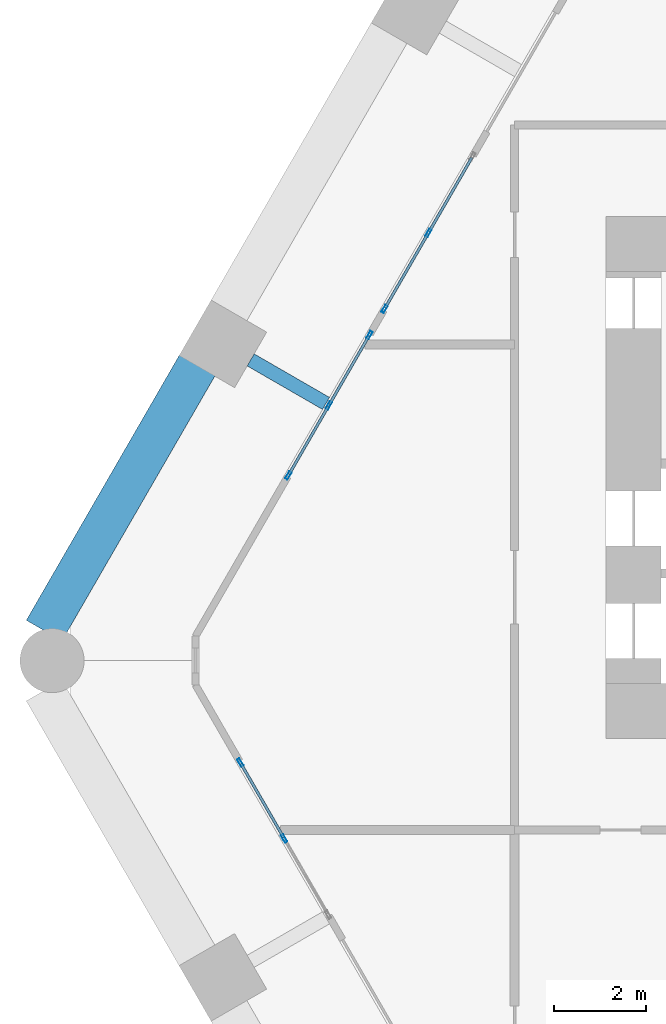
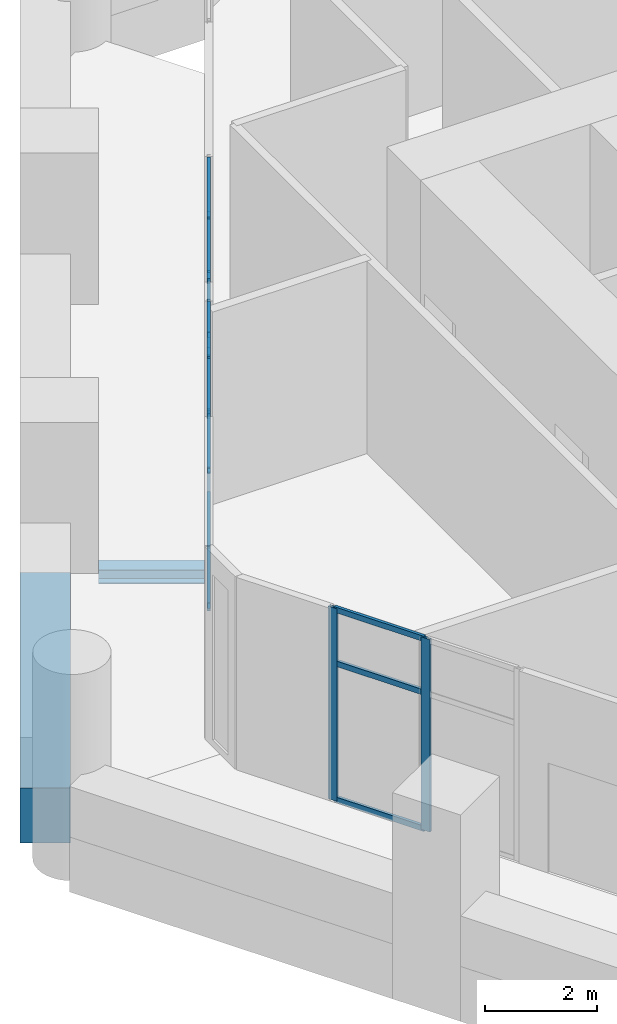
# One storey, part 5 of 18: 22 members, 2 beams, 3 elements without a shape of their own.
"""IFC4 building model written with IfcOpenShell, lengths in metres."""

import ifcopenshell
import ifcopenshell.guid

model = None  # the IFC model being written
_history = None  # IfcOwnerHistory: only IFC2X3 demands one
_inside = {}  # id of a spatial element -> (the spatial element, [elements in it])
_under = {}  # id of a project, library or spatial element -> (it, [spatial elements below it])
_declared = {}  # id of a project -> (the project, [libraries it declares])
_typed = {}  # id of a type object -> (the type object, [elements of that type])
_made_of = {}  # id of a material, layer set ... -> (it, [elements and type objects made of it])


def new_model(schema):
    """Start an empty IFC model of exactly this schema.

    Asked for "IFC4X3", IfcOpenShell would pick the latest addendum, in which some entities
    have other attributes; the version numbers below select the first issue.
    IFC2X3 requires an IfcOwnerHistory on every rooted entity: one is made here for all.
    """
    global model, _history
    if schema == "IFC4X3":
        model = ifcopenshell.file(schema_version=(4, 3, 0, 0))
    else:
        model = ifcopenshell.file(schema=schema)
    _inside.clear()
    _under.clear()
    _declared.clear()
    _typed.clear()
    _made_of.clear()
    _history = None
    if model.schema == "IFC2X3":
        org = make("IfcOrganization", Name="unknown")
        user = make(
            "IfcPersonAndOrganization",
            ThePerson=make("IfcPerson", FamilyName="unknown"),
            TheOrganization=org,
        )
        app = make(
            "IfcApplication",
            ApplicationDeveloper=org,
            Version="unknown",
            ApplicationFullName="unknown",
            ApplicationIdentifier="unknown",
        )
        _history = make(
            "IfcOwnerHistory",
            OwningUser=user,
            OwningApplication=app,
            ChangeAction="ADDED",
            CreationDate=0,
        )
    return model


def make(cls, **values):
    """One entity of the class cls with the attributes given. An attribute that is None is left unset."""
    return model.create_entity(
        cls, **{name: value for name, value in values.items() if value is not None}
    )


def rooted(cls, **values):
    """An entity with a GlobalId (a new one), such as an element, a storey or a relation."""
    return make(cls, GlobalId=ifcopenshell.guid.new(), OwnerHistory=_history, **values)


def si_unit(unit_type, name, prefix=None):
    """IfcSIUnit, for example si_unit("LENGTHUNIT", "METRE", prefix="MILLI")."""
    return make("IfcSIUnit", UnitType=unit_type, Prefix=prefix, Name=name)


def assignment(units):
    """IfcUnitAssignment: the units of a project."""
    return None if units is None else make("IfcUnitAssignment", Units=units)


def point(xyz):
    """IfcCartesianPoint."""
    return None if xyz is None else make("IfcCartesianPoint", Coordinates=xyz)


def direction(xyz):
    """IfcDirection."""
    return None if xyz is None else make("IfcDirection", DirectionRatios=xyz)


def frame(location, z_axis=None, x_axis=None):
    """IfcAxis2Placement3D, a coordinate frame: its origin and axes. An axis left out is left unset."""
    return make(
        "IfcAxis2Placement3D",
        Location=point(location),
        Axis=direction(z_axis),
        RefDirection=direction(x_axis),
    )


def frame_2d(location, x_axis=None):
    """IfcAxis2Placement2D, a coordinate frame in the plane: its origin and x axis."""
    return make(
        "IfcAxis2Placement2D", Location=point(location), RefDirection=direction(x_axis)
    )


def origin():
    """The frame at (0, 0, 0) with its axes left unset."""
    return frame((0.0, 0.0, 0.0))


def origin_2d():
    """The frame at (0, 0) in the plane with its x axis left unset."""
    return frame_2d((0.0, 0.0))


def place(relative_to, where):
    """IfcLocalPlacement: puts the frame where relative to a parent placement (None: the world)."""
    return make(
        "IfcLocalPlacement", PlacementRelTo=relative_to, RelativePlacement=where
    )


def context(
    kind, dimensions, precision=None, world=None, true_north=None, identifier=None
):
    """IfcGeometricRepresentationContext, for example the 3D "Model" context."""
    return make(
        "IfcGeometricRepresentationContext",
        ContextIdentifier=identifier,
        ContextType=kind,
        CoordinateSpaceDimension=dimensions,
        Precision=precision,
        WorldCoordinateSystem=world,
        TrueNorth=true_north,
    )


def subcontext(parent, identifier, kind, view, scale=None):
    """IfcGeometricRepresentationSubContext, for example "Body" below "Model"."""
    return make(
        "IfcGeometricRepresentationSubContext",
        ContextIdentifier=identifier,
        ContextType=kind,
        ParentContext=parent,
        TargetScale=scale,
        TargetView=view,
    )


def project(units=None, contexts=None):
    """IfcProject with its units and contexts."""
    return rooted(
        "IfcProject",
        Name="project",
        RepresentationContexts=contexts,
        UnitsInContext=assignment(units),
    )


def spatial(cls, under=None, at=None, **own):
    """A site, building, storey or space (cls), placed at a placement, below another one or the project."""
    s = rooted(cls, ObjectPlacement=at, **own)
    if under is not None:
        _under.setdefault(under.id(), (under, []))[1].append(s)
    return s


def profile(cls, at=None, kind="AREA", **sizes):
    """A parametric profile (cls). Its sizes go by their IFC names, for example OverallWidth=200.0."""
    return make(cls, ProfileType=kind, Position=at, **sizes)


def rectangle(**sizes):
    """IfcRectangleProfileDef."""
    return profile("IfcRectangleProfileDef", **sizes)


def hollow_rectangle(**sizes):
    """IfcRectangleHollowProfileDef."""
    return profile("IfcRectangleHollowProfileDef", **sizes)


def i_section(**sizes):
    """IfcIShapeProfileDef."""
    return profile("IfcIShapeProfileDef", **sizes)


def extrude(swept, where, along, depth):
    """IfcExtrudedAreaSolid: the profile swept, set in the frame where, extruded along a direction by depth."""
    return make(
        "IfcExtrudedAreaSolid",
        SweptArea=swept,
        Position=where,
        ExtrudedDirection=direction(along),
        Depth=depth,
    )


def shape(context_of_items, identifier, shape_type, items):
    """IfcShapeRepresentation: the items that make up one representation, for example the "Body"."""
    return make(
        "IfcShapeRepresentation",
        ContextOfItems=context_of_items,
        RepresentationIdentifier=identifier,
        RepresentationType=shape_type,
        Items=items,
    )


def material(Name=None, Category=None):
    """IfcMaterial."""
    return make("IfcMaterial", Name=Name, Category=Category)


def material_profile(
    of_material, cross_section, Name=None, Category=None, Priority=None
):
    """IfcMaterialProfile: a cross section and its material."""
    return make(
        "IfcMaterialProfile",
        Name=Name,
        Material=of_material,
        Profile=cross_section,
        Priority=Priority,
        Category=Category,
    )


def profile_set(profiles, Name=None, composite=None):
    """IfcMaterialProfileSet."""
    return make(
        "IfcMaterialProfileSet",
        Name=Name,
        MaterialProfiles=profiles,
        CompositeProfile=composite,
    )


def made_of(thing, what):
    """Note that an element or type object is made of a material, layer set ...; save() writes the relation."""
    if what is not None:
        _made_of.setdefault(what.id(), (what, []))[1].append(thing)
    return thing


def type_object(cls, material=None, **own):
    """A type object (cls), such as IfcWallType, which elements share."""
    return made_of(rooted(cls, **own), material)


def element(
    cls,
    number,
    at=None,
    inside=None,
    cuts=None,
    type_object=None,
    material=None,
    context=None,
    identifier="Body",
    shape_type=None,
    held_by="IfcProductDefinitionShape",
    body=None,
    shapes=None,
    **own,
):
    """One element of the class cls, such as IfcWall. Its Tag is "e" and its number.

    at: its placement. inside: the storey or other place that contains it. cuts: it is an
    opening in that element (IfcRelVoidsElement). A single representation is given by context,
    identifier, shape_type and body (its items); several are given by shapes. held_by: the class
    of the entity that holds the representations. save() writes the other relations.
    """
    e = rooted(cls, Tag="e%d" % number, ObjectPlacement=at, **own)
    if body is not None:
        shapes = [shape(context, identifier, shape_type, body)]
    if shapes is not None:
        e.Representation = make(held_by, Representations=shapes)
    if inside is not None:
        _inside.setdefault(inside.id(), (inside, []))[1].append(e)
    if cuts is not None:
        rooted(
            "IfcRelVoidsElement", RelatingBuildingElement=cuts, RelatedOpeningElement=e
        )
    if type_object is not None:
        _typed.setdefault(type_object.id(), (type_object, []))[1].append(e)
    return made_of(e, material)


def aggregate(whole, parts):
    """IfcRelAggregates: a whole, such as a stair, and the parts it consists of."""
    return rooted("IfcRelAggregates", RelatingObject=whole, RelatedObjects=parts)


def save(model, path):
    """Write the relations noted so far, then the file.

    IfcRelAggregates (storeys below a building ...), IfcRelContainedInSpatialStructure (elements
    in a storey), IfcRelDefinesByType, IfcRelAssociatesMaterial and IfcRelDeclares: one each for
    every whole, place, type object, material and project.
    """
    for whole, parts in _under.values():
        aggregate(whole, parts)
    for where, things in _inside.values():
        rooted(
            "IfcRelContainedInSpatialStructure",
            RelatedElements=things,
            RelatingStructure=where,
        )
    for kind, things in _typed.values():
        rooted("IfcRelDefinesByType", RelatedObjects=things, RelatingType=kind)
    for what, things in _made_of.values():
        rooted("IfcRelAssociatesMaterial", RelatedObjects=things, RelatingMaterial=what)
    for by, libraries in _declared.values():
        rooted("IfcRelDeclares", RelatingContext=by, RelatedDefinitions=libraries)
    model.write(path)


model = new_model("IFC4")

# Units and contexts
model_context = context("Model", 3, precision=1e-05, world=origin(), true_north=direction((0.0, 1.0)))
body_context = subcontext(model_context, "Body", "Model", "MODEL_VIEW")
ifc_project = project(units=[si_unit("LENGTHUNIT", "METRE"), si_unit("AREAUNIT", "SQUARE_METRE"), si_unit("VOLUMEUNIT", "CUBIC_METRE"), si_unit("PLANEANGLEUNIT", "RADIAN"), si_unit("MASSUNIT", "GRAM", prefix="KILO")], contexts=[model_context])

# Site, building, storey
site_placement = place(None, origin())
site = spatial("IfcSite", under=ifc_project, at=site_placement, CompositionType="ELEMENT")
building_placement = place(site_placement, origin())
building = spatial("IfcBuilding", under=site, at=building_placement, Name="Ostrander Bayou Hotel Tower", CompositionType="ELEMENT")
storey_placement = place(building_placement, frame((0.0, 0.0, 19.0)))
storey = spatial("IfcBuildingStorey", under=building, at=storey_placement, Name="L04", CompositionType="ELEMENT", Elevation=19.0)

# Curtain wall, members
ifc_material_1 = material(Name="Aluminium and clear glass", Category="aluminium")
curtain_wall_type = type_object("IfcCurtainWallType", Name="CW-SKY amenity glass wall", PredefinedType="NOTDEFINED", material=ifc_material_1)
curtain_wall_1_placement = place(storey_placement, origin())
curtain_wall_1 = element("IfcCurtainWall", 1, at=curtain_wall_1_placement, inside=storey, type_object=curtain_wall_type, Name="CW-SKY L04 NW 3", PredefinedType="NOTDEFINED")
ifc_material_2 = material(Name="Aluminium", Category="aluminium")
ifc_material_profile_1 = material_profile(ifc_material_2, hollow_rectangle(XDim=0.06005859375, YDim=0.179931640625, WallThickness=0.00390625, at=origin_2d()))
ifc_profile_set_1 = profile_set([ifc_material_profile_1], Name="Aluminium")
member_type_1 = type_object("IfcMemberType", Name="CW-SK mullion 60 x 180 mm", PredefinedType="MULLION", material=ifc_profile_set_1)
member_1_placement = place(storey_placement, frame((-15.881591796875, 9.342529296875, 0.0), z_axis=(0.0, 0.0, 1.0), x_axis=(0.866025463091, -0.499999897278, 0.0)))
member_1 = element("IfcMember", 2, at=member_1_placement, type_object=member_type_1, Name="CW-SKY mullion 2", PredefinedType="MULLION", context=body_context, shape_type="SweptSolid", body=[
    extrude(hollow_rectangle(XDim=0.06005859375, YDim=0.179931640625, WallThickness=0.00390625, at=origin_2d()), origin(), (0.0, 0.0, 1.0), 4.199951171875),
])
member_2_placement = place(storey_placement, frame((-16.841552734375, 7.6796875, 0.0), z_axis=(0.0, 0.0, 1.0), x_axis=(0.866025463091, -0.499999897278, 0.0)))
member_2 = element("IfcMember", 3, at=member_2_placement, type_object=member_type_1, Name="CW-SKY mullion 3", PredefinedType="MULLION", context=body_context, shape_type="SweptSolid", body=[
    extrude(hollow_rectangle(XDim=0.06005859375, YDim=0.179931640625, WallThickness=0.00390625, at=origin_2d()), origin(), (0.0, 0.0, 1.0), 4.199951171875),
])

curtain_wall_2_placement = place(storey_placement, origin())
curtain_wall_2 = element("IfcCurtainWall", 4, at=curtain_wall_2_placement, inside=storey, type_object=curtain_wall_type, Name="CW-SKY L04 NW 4", PredefinedType="NOTDEFINED")
member_3_placement = place(storey_placement, frame((-17.17138671875, 7.10791015625, 0.0), z_axis=(0.0, 0.0, 1.0), x_axis=(0.866025997283, -0.499998972029, 0.0)))
member_3 = element("IfcMember", 5, at=member_3_placement, type_object=member_type_1, Name="CW-SKY mullion 1", PredefinedType="MULLION", context=body_context, shape_type="SweptSolid", body=[
    extrude(hollow_rectangle(XDim=0.06005859375, YDim=0.179931640625, WallThickness=0.00390625, at=origin_2d()), origin(), (0.0, 0.0, 1.0), 4.199951171875),
])
member_4_placement = place(storey_placement, frame((-18.056396484375, 5.5751953125, 0.0), z_axis=(0.0, 0.0, 1.0), x_axis=(0.866025997283, -0.499998972029, 0.0)))
member_4 = element("IfcMember", 6, at=member_4_placement, type_object=member_type_1, Name="CW-SKY mullion 2", PredefinedType="MULLION", context=body_context, shape_type="SweptSolid", body=[
    extrude(hollow_rectangle(XDim=0.06005859375, YDim=0.179931640625, WallThickness=0.00390625, at=origin_2d()), origin(), (0.0, 0.0, 1.0), 4.199951171875),
])
member_5_placement = place(storey_placement, frame((-18.94140625, 4.042236328125, 0.0), z_axis=(0.0, 0.0, 1.0), x_axis=(0.866025997283, -0.499998972029, 0.0)))
member_5 = element("IfcMember", 7, at=member_5_placement, type_object=member_type_1, Name="CW-SKY mullion 3", PredefinedType="MULLION", context=body_context, shape_type="SweptSolid", body=[
    extrude(hollow_rectangle(XDim=0.06005859375, YDim=0.179931640625, WallThickness=0.00390625, at=origin_2d()), origin(), (0.0, 0.0, 1.0), 4.199951171875),
])

curtain_wall_3_placement = place(storey_placement, origin())
curtain_wall_3 = element("IfcCurtainWall", 8, at=curtain_wall_3_placement, inside=storey, type_object=curtain_wall_type, Name="CW-SKY L04 SW 1", PredefinedType="NOTDEFINED")
member_6_placement = place(storey_placement, frame((-19.991455078125, -2.2236328125, 0.0), z_axis=(0.0, 0.0, 1.0), x_axis=(0.866025463091, 0.499999897278, 0.0)))
member_6 = element("IfcMember", 9, at=member_6_placement, type_object=member_type_1, Name="CW-SKY mullion 1", PredefinedType="MULLION", context=body_context, shape_type="SweptSolid", body=[
    extrude(hollow_rectangle(XDim=0.06005859375, YDim=0.179931640625, WallThickness=0.00390625, at=origin_2d()), origin(), (0.0, 0.0, 1.0), 4.199951171875),
])
member_7_placement = place(storey_placement, frame((-19.031494140625, -3.886474609375, 0.0), z_axis=(0.0, 0.0, 1.0), x_axis=(0.866025463091, 0.499999897278, 0.0)))
member_7 = element("IfcMember", 10, at=member_7_placement, type_object=member_type_1, Name="CW-SKY mullion 2", PredefinedType="MULLION", context=body_context, shape_type="SweptSolid", body=[
    extrude(hollow_rectangle(XDim=0.06005859375, YDim=0.179931640625, WallThickness=0.00390625, at=origin_2d()), origin(), (0.0, 0.0, 1.0), 4.199951171875),
])

# Member
ifc_material_3 = material(Name="Aluminium", Category="aluminium")
ifc_material_profile_2 = material_profile(ifc_material_3, hollow_rectangle(XDim=0.06005859375, YDim=0.1201171875, WallThickness=0.00390625, at=origin_2d()))
ifc_profile_set_2 = profile_set([ifc_material_profile_2], Name="Aluminium")
member_type_2 = type_object("IfcMemberType", Name="CW-SK transom 60 x 120 mm", PredefinedType="USERDEFINED", material=ifc_profile_set_2)
member_8_placement = place(storey_placement, frame((-14.9365234375, 10.979248046875, 0.030029296875), z_axis=(-0.499964847546, -0.866045698112, 0.0), x_axis=(0.866045698112, -0.499964847546, 0.0)))
member_8 = element("IfcMember", 11, at=member_8_placement, type_object=member_type_2, Name="CW-SKY transom 1.1", ObjectType="TRANSOM", PredefinedType="USERDEFINED", context=body_context, shape_type="SweptSolid", body=[
    extrude(hollow_rectangle(XDim=0.06005859375, YDim=0.1201171875, WallThickness=0.00390625, at=origin_2d()), origin(), (0.0, 0.0, 1.0), 1.860107421875),
])

member_9_placement = place(storey_placement, frame((-14.9365234375, 10.979248046875, 3.0), z_axis=(-0.499964847546, -0.866045698112, 0.0), x_axis=(0.866045698112, -0.499964847546, 0.0)))
member_9 = element("IfcMember", 12, at=member_9_placement, type_object=member_type_2, Name="CW-SKY transom 1.2", ObjectType="TRANSOM", PredefinedType="USERDEFINED", context=body_context, shape_type="SweptSolid", body=[
    extrude(hollow_rectangle(XDim=0.06005859375, YDim=0.1201171875, WallThickness=0.00390625, at=origin_2d()), origin(), (0.0, 0.0, 1.0), 1.860107421875),
])

member_10_placement = place(storey_placement, frame((-14.9365234375, 10.979248046875, 4.169921875), z_axis=(-0.499964847546, -0.866045698112, 0.0), x_axis=(0.866045698112, -0.499964847546, 0.0)))
member_10 = element("IfcMember", 13, at=member_10_placement, type_object=member_type_2, Name="CW-SKY transom 1.3", ObjectType="TRANSOM", PredefinedType="USERDEFINED", context=body_context, shape_type="SweptSolid", body=[
    extrude(hollow_rectangle(XDim=0.06005859375, YDim=0.1201171875, WallThickness=0.00390625, at=origin_2d()), origin(), (0.0, 0.0, 1.0), 1.860107421875),
])

member_11_placement = place(storey_placement, frame((-15.896484375, 9.31640625, 0.030029296875), z_axis=(-0.499964847546, -0.866045698112, 0.0), x_axis=(0.866045698112, -0.499964847546, 0.0)))
member_11 = element("IfcMember", 14, at=member_11_placement, type_object=member_type_2, Name="CW-SKY transom 2.1", ObjectType="TRANSOM", PredefinedType="USERDEFINED", context=body_context, shape_type="SweptSolid", body=[
    extrude(hollow_rectangle(XDim=0.06005859375, YDim=0.1201171875, WallThickness=0.00390625, at=origin_2d()), origin(), (0.0, 0.0, 1.0), 1.860107421875),
])

member_12_placement = place(storey_placement, frame((-15.896484375, 9.31640625, 3.0), z_axis=(-0.499964847546, -0.866045698112, 0.0), x_axis=(0.866045698112, -0.499964847546, 0.0)))
member_12 = element("IfcMember", 15, at=member_12_placement, type_object=member_type_2, Name="CW-SKY transom 2.2", ObjectType="TRANSOM", PredefinedType="USERDEFINED", context=body_context, shape_type="SweptSolid", body=[
    extrude(hollow_rectangle(XDim=0.06005859375, YDim=0.1201171875, WallThickness=0.00390625, at=origin_2d()), origin(), (0.0, 0.0, 1.0), 1.860107421875),
])

member_13_placement = place(storey_placement, frame((-15.896484375, 9.31640625, 4.169921875), z_axis=(-0.499964847546, -0.866045698112, 0.0), x_axis=(0.866045698112, -0.499964847546, 0.0)))
member_13 = element("IfcMember", 16, at=member_13_placement, type_object=member_type_2, Name="CW-SKY transom 2.3", ObjectType="TRANSOM", PredefinedType="USERDEFINED", context=body_context, shape_type="SweptSolid", body=[
    extrude(hollow_rectangle(XDim=0.06005859375, YDim=0.1201171875, WallThickness=0.00390625, at=origin_2d()), origin(), (0.0, 0.0, 1.0), 1.860107421875),
])

aggregate(curtain_wall_1, [member_1, member_2, member_8, member_9, member_10, member_11, member_12, member_13])

member_14_placement = place(storey_placement, frame((-17.1865234375, 7.08203125, 0.030029296875), z_axis=(-0.499977863513, -0.866038183914, 0.0), x_axis=(0.866038183914, -0.499977863513, 0.0)))
member_14 = element("IfcMember", 17, at=member_14_placement, type_object=member_type_2, Name="CW-SKY transom 1.1", ObjectType="TRANSOM", PredefinedType="USERDEFINED", context=body_context, shape_type="SweptSolid", body=[
    extrude(hollow_rectangle(XDim=0.06005859375, YDim=0.1201171875, WallThickness=0.00390625, at=origin_2d()), origin(), (0.0, 0.0, 1.0), 1.7099609375),
])

member_15_placement = place(storey_placement, frame((-17.1865234375, 7.08203125, 3.0), z_axis=(-0.499977863513, -0.866038183914, 0.0), x_axis=(0.866038183914, -0.499977863513, 0.0)))
member_15 = element("IfcMember", 18, at=member_15_placement, type_object=member_type_2, Name="CW-SKY transom 1.2", ObjectType="TRANSOM", PredefinedType="USERDEFINED", context=body_context, shape_type="SweptSolid", body=[
    extrude(hollow_rectangle(XDim=0.06005859375, YDim=0.1201171875, WallThickness=0.00390625, at=origin_2d()), origin(), (0.0, 0.0, 1.0), 1.7099609375),
])

member_16_placement = place(storey_placement, frame((-17.1865234375, 7.08203125, 4.169921875), z_axis=(-0.499977863513, -0.866038183914, 0.0), x_axis=(0.866038183914, -0.499977863513, 0.0)))
member_16 = element("IfcMember", 19, at=member_16_placement, type_object=member_type_2, Name="CW-SKY transom 1.3", ObjectType="TRANSOM", PredefinedType="USERDEFINED", context=body_context, shape_type="SweptSolid", body=[
    extrude(hollow_rectangle(XDim=0.06005859375, YDim=0.1201171875, WallThickness=0.00390625, at=origin_2d()), origin(), (0.0, 0.0, 1.0), 1.7099609375),
])

member_17_placement = place(storey_placement, frame((-18.071533203125, 5.549072265625, 0.030029296875), z_axis=(-0.500039688951, -0.866002488145, 0.0), x_axis=(0.866002488145, -0.500039688951, 0.0)))
member_17 = element("IfcMember", 20, at=member_17_placement, type_object=member_type_2, Name="CW-SKY transom 2.1", ObjectType="TRANSOM", PredefinedType="USERDEFINED", context=body_context, shape_type="SweptSolid", body=[
    extrude(hollow_rectangle(XDim=0.06005859375, YDim=0.1201171875, WallThickness=0.00390625, at=origin_2d()), origin(), (0.0, 0.0, 1.0), 1.709716796875),
])

member_18_placement = place(storey_placement, frame((-18.071533203125, 5.549072265625, 3.0), z_axis=(-0.500039688951, -0.866002488145, 0.0), x_axis=(0.866002488145, -0.500039688951, 0.0)))
member_18 = element("IfcMember", 21, at=member_18_placement, type_object=member_type_2, Name="CW-SKY transom 2.2", ObjectType="TRANSOM", PredefinedType="USERDEFINED", context=body_context, shape_type="SweptSolid", body=[
    extrude(hollow_rectangle(XDim=0.06005859375, YDim=0.1201171875, WallThickness=0.00390625, at=origin_2d()), origin(), (0.0, 0.0, 1.0), 1.709716796875),
])

member_19_placement = place(storey_placement, frame((-18.071533203125, 5.549072265625, 4.169921875), z_axis=(-0.500039688951, -0.866002488145, 0.0), x_axis=(0.866002488145, -0.500039688951, 0.0)))
member_19 = element("IfcMember", 22, at=member_19_placement, type_object=member_type_2, Name="CW-SKY transom 2.3", ObjectType="TRANSOM", PredefinedType="USERDEFINED", context=body_context, shape_type="SweptSolid", body=[
    extrude(hollow_rectangle(XDim=0.06005859375, YDim=0.1201171875, WallThickness=0.00390625, at=origin_2d()), origin(), (0.0, 0.0, 1.0), 1.709716796875),
])

aggregate(curtain_wall_2, [member_3, member_4, member_5, member_14, member_15, member_16, member_17, member_18, member_19])

member_20_placement = place(storey_placement, frame((-19.9765625, -2.249755859375, 0.030029296875), z_axis=(0.50012012977, -0.86595603572, 0.0), x_axis=(0.86595603572, 0.50012012977, 0.0)))
member_20 = element("IfcMember", 23, at=member_20_placement, type_object=member_type_2, Name="CW-SKY transom 1.1", ObjectType="TRANSOM", PredefinedType="USERDEFINED", context=body_context, shape_type="SweptSolid", body=[
    extrude(hollow_rectangle(XDim=0.06005859375, YDim=0.1201171875, WallThickness=0.00390625, at=origin_2d()), origin(), (0.0, 0.0, 1.0), 1.85986328125),
])

member_21_placement = place(storey_placement, frame((-19.9765625, -2.249755859375, 3.0), z_axis=(0.50012012977, -0.86595603572, 0.0), x_axis=(0.86595603572, 0.50012012977, 0.0)))
member_21 = element("IfcMember", 24, at=member_21_placement, type_object=member_type_2, Name="CW-SKY transom 1.2", ObjectType="TRANSOM", PredefinedType="USERDEFINED", context=body_context, shape_type="SweptSolid", body=[
    extrude(hollow_rectangle(XDim=0.06005859375, YDim=0.1201171875, WallThickness=0.00390625, at=origin_2d()), origin(), (0.0, 0.0, 1.0), 1.85986328125),
])

member_22_placement = place(storey_placement, frame((-19.9765625, -2.249755859375, 4.169921875), z_axis=(0.50012012977, -0.86595603572, 0.0), x_axis=(0.86595603572, 0.50012012977, 0.0)))
member_22 = element("IfcMember", 25, at=member_22_placement, type_object=member_type_2, Name="CW-SKY transom 1.3", ObjectType="TRANSOM", PredefinedType="USERDEFINED", context=body_context, shape_type="SweptSolid", body=[
    extrude(hollow_rectangle(XDim=0.06005859375, YDim=0.1201171875, WallThickness=0.00390625, at=origin_2d()), origin(), (0.0, 0.0, 1.0), 1.85986328125),
])

aggregate(curtain_wall_3, [member_6, member_7, member_20, member_21, member_22])

# Beams
ifc_material_4 = material(Name="Steel ASTM A992", Category="steel")
ifc_material_profile_3 = material_profile(ifc_material_4, i_section(OverallWidth=0.3046875, OverallDepth=0.307861328125, WebThickness=0.010009765625, FlangeThickness=0.015380859375, at=origin_2d()))
ifc_profile_set_3 = profile_set([ifc_material_profile_3], Name="Steel ASTM A992")
beam_type_1 = type_object("IfcBeamType", Name="LB1 loggia bracket W12x65", PredefinedType="BEAM", material=ifc_profile_set_3)
beam_1_placement = place(storey_placement, frame((-19.7646484375, 6.566650390625, -0.453857421875), z_axis=(0.866044365799, -0.499967155389, 0.0), x_axis=(0.499967155389, 0.866044365799, 0.0)))
element("IfcBeam", 26, at=beam_1_placement, inside=storey, type_object=beam_type_1, Name="LB1 L04 NW2", PredefinedType="BEAM", context=body_context, shape_type="SweptSolid", body=[
    extrude(i_section(OverallWidth=0.3046875, OverallDepth=0.307861328125, WebThickness=0.010009765625, FlangeThickness=0.015380859375, at=origin_2d()), origin(), (0.0, 0.0, 1.0), 1.900146484375),
])
ifc_material_5 = material(Name="Concrete f'c 70 MPa", Category="concrete")
ifc_material_profile_4 = material_profile(ifc_material_5, rectangle(XDim=0.89990234375, YDim=1.199951171875, at=origin_2d()))
ifc_profile_set_4 = profile_set([ifc_material_profile_4], Name="Concrete f'c 70 MPa")
beam_type_2 = type_object("IfcBeamType", Name="SP1 spandrel beam 900 x 1200 mm f'c 70 MPa", PredefinedType="SPANDREL", material=ifc_profile_set_4)
beam_2_placement = place(storey_placement, frame((-20.92236328125, 6.46142578125, -0.60009765625), z_axis=(-0.500005133765, -0.866022439784, 0.0), x_axis=(0.866022439784, -0.500005133765, 0.0)))
element("IfcBeam", 27, at=beam_2_placement, inside=storey, type_object=beam_type_2, Name="SP1 L04 NW-3", PredefinedType="SPANDREL", context=body_context, shape_type="SweptSolid", body=[
    extrude(rectangle(XDim=0.89990234375, YDim=1.199951171875, at=origin_2d()), origin(), (0.0, 0.0, 1.0), 6.70361328125),
])

save(model, "model.ifc")
